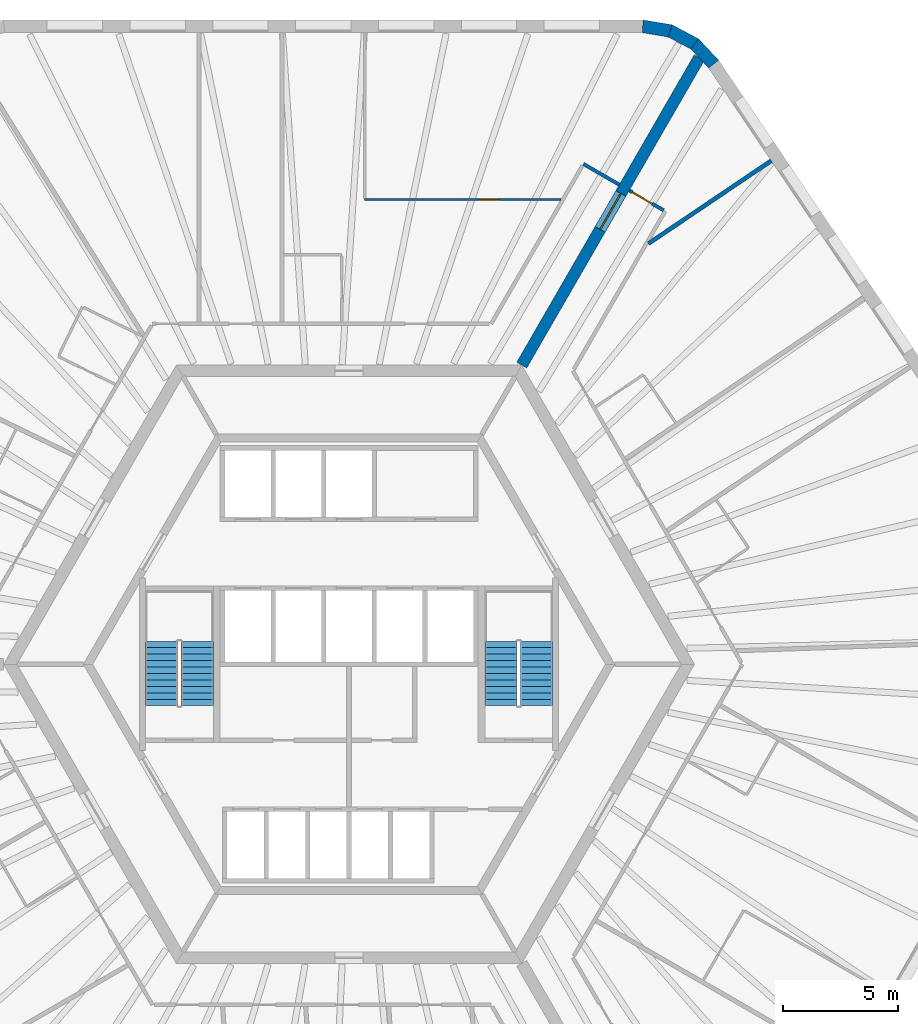
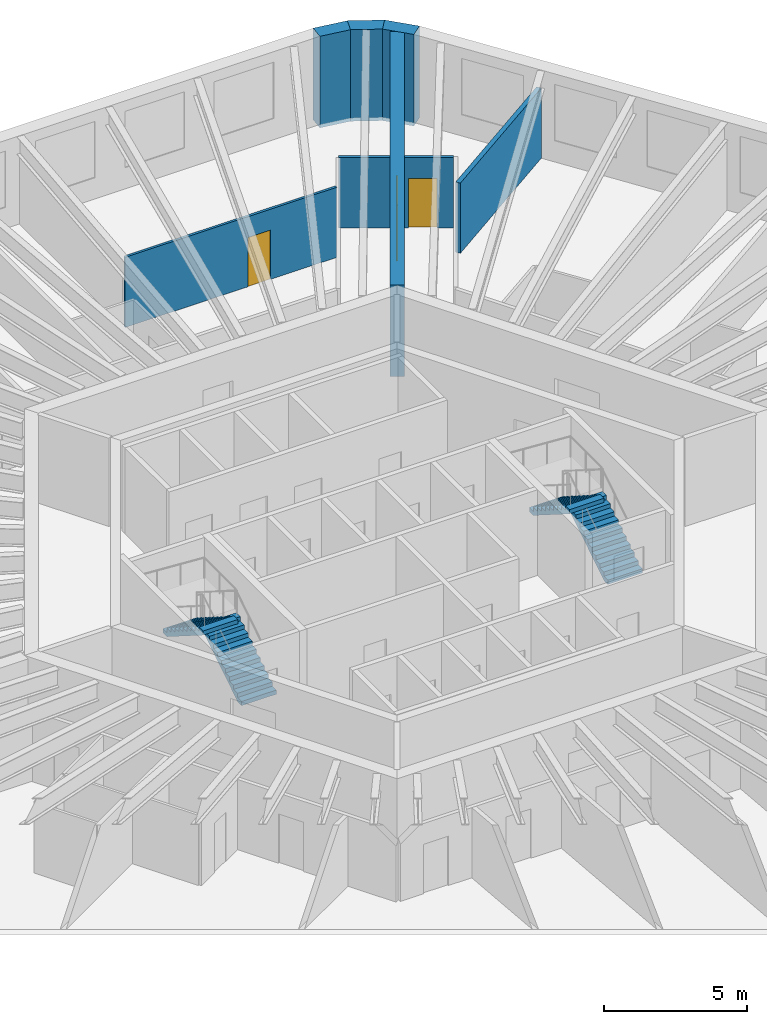
# One storey, part 9 of 10: 8 walls, 4 stair flights, 3 doors, 3 openings, 2 elements without a shape of their own.
"""IFC4 building model written with IfcOpenShell, lengths in metres."""

from ifc_helpers import new_model, si_unit, direction, frame, frame_2d, origin, place, context, subcontext, project, spatial, polyline, rectangle, outline, extrude, material, layer, layer_set, type_object, element, fill, aggregate, save


model = new_model("IFC4")

# Units and contexts
model_context = context("Model", 3, precision=1e-05, world=origin(), true_north=direction((0.0, 1.0)))
body_context = subcontext(model_context, "Body", "Model", "MODEL_VIEW")
ifc_project = project(units=[si_unit("LENGTHUNIT", "METRE"), si_unit("AREAUNIT", "SQUARE_METRE"), si_unit("VOLUMEUNIT", "CUBIC_METRE"), si_unit("PLANEANGLEUNIT", "RADIAN"), si_unit("MASSUNIT", "GRAM", prefix="KILO")], contexts=[model_context])

# Site, building, storey
site_placement = place(None, origin())
site = spatial("IfcSite", under=ifc_project, at=site_placement, CompositionType="ELEMENT")
building_placement = place(site_placement, origin())
building = spatial("IfcBuilding", under=site, at=building_placement, Name="Tarnside Tower", CompositionType="ELEMENT")
storey_placement = place(building_placement, frame((0.0, 0.0, 230.699951171875)))
storey = spatial("IfcBuildingStorey", under=building, at=storey_placement, Name="L55", CompositionType="ELEMENT", Elevation=230.699951171875)

# Wall, opening, door
ifc_material_1 = material(Name="Concrete C70/85", Category="concrete")
ifc_layer_1 = layer(ifc_material_1, 0.5)
ifc_layer_set_1 = layer_set([ifc_layer_1], Name="Core wall Z2 500 C70/85")
wall_type_1 = type_object("IfcWallType", Name="Core wall Z2 500 C70/85", PredefinedType="SHEAR", material=ifc_layer_set_1)
wall_1_placement = place(storey_placement, frame((7.505615234375, 13.0, -0.14990234375), z_axis=(0.0, 0.0, 1.0), x_axis=(0.499988271576, 0.866032175087, 0.0)))
wall_1 = element("IfcWall", 1, at=wall_1_placement, inside=storey, type_object=wall_type_1, Name="L55 spine wall 1", PredefinedType="SHEAR", context=body_context, shape_type="SweptSolid", body=[
    extrude(rectangle(XDim=15.423583984375, YDim=0.5, at=frame_2d((7.7119140625, 0.0))), origin(), (0.0, 0.0, 1.0), 3.89990234375),
])
opening_1_placement = place(wall_1_placement, frame((6.811767578125, 0.0, 0.14990234375)))
opening_1 = element("IfcOpeningElement", 2, at=opening_1_placement, cuts=wall_1, Name="Opening CD-SPN", PredefinedType="OPENING", context=body_context, shape_type="SweptSolid", body=[
    extrude(rectangle(XDim=1.800048828125, YDim=2.39990234375, at=frame_2d((0.89990234375, 1.199951171875))), frame((0.0, 0.260009765625, 0.0), z_axis=(0.0, -1.0, 0.0), x_axis=(1.0, 0.0, 0.0)), (0.0, 0.0, 1.0), 0.52001953125),
])
ifc_material_2 = material(Name="Steel fire door", Category="steel")
door_type_1 = type_object("IfcDoorType", Name="Spine passage double door FD60 1800x2400", OperationType="NOTDEFINED", PredefinedType="DOOR", material=ifc_material_2)
door_1_placement = place(opening_1_placement, origin())
door_1 = element("IfcDoor", 3, at=door_1_placement, inside=storey, type_object=door_type_1, Name="L55 spine passage door 1", OperationType="DOUBLE_DOOR_SINGLE_SWING", OverallHeight=2.39990234375, OverallWidth=1.800048828125, PredefinedType="DOOR", context=body_context, shape_type="SweptSolid", body=[
    extrude(rectangle(XDim=1.800048828125, YDim=2.39990234375, at=frame_2d((0.89990234375, 1.199951171875))), frame((0.0, 0.02490234375, 0.0), z_axis=(0.0, -1.0, 0.0), x_axis=(1.0, 0.0, 0.0)), (0.0, 0.0, 1.0), 0.050048828125),
])
fill(opening_1, door_1)

# Wall
ifc_material_3 = material(Name="Gypsum board partition on steel studs", Category="steel")
ifc_layer_2 = layer(ifc_material_3, 0.14990234375)
ifc_layer_set_2 = layer_set([ifc_layer_2], Name="Corridor wall 150 EI 60")
wall_type_2 = type_object("IfcWallType", Name="Corridor wall 150 EI 60", PredefinedType="PARTITIONING", material=ifc_layer_set_2)
wall_2_placement = place(storey_placement, frame((11.744873046875, 20.8427734375, 0.0), z_axis=(0.0, 0.0, 1.0), x_axis=(-0.865989075817, 0.500062916607, 0.0)))
element("IfcWall", 4, at=wall_2_placement, inside=storey, type_object=wall_type_2, Name="Corridor wall 18004", PredefinedType="PARTITIONING", context=body_context, shape_type="SweptSolid", body=[
    extrude(rectangle(XDim=1.800048828125, YDim=0.14990234375, at=frame_2d((0.89990234375, 0.0))), origin(), (0.0, 0.0, 1.0), 2.98779296875),
])

# Wall, opening, door
wall_3_placement = place(storey_placement, frame((13.671875, 19.73046875, 0.0), z_axis=(0.0, 0.0, 1.0), x_axis=(-0.866074815912, 0.499914405916, 0.0)))
wall_3 = element("IfcWall", 5, at=wall_3_placement, inside=storey, type_object=wall_type_2, Name="Corridor wall 18050", PredefinedType="PARTITIONING", context=body_context, shape_type="SweptSolid", body=[
    extrude(rectangle(XDim=1.724853515625, YDim=0.14990234375, at=frame_2d((0.8623046875, 0.0))), origin(), (0.0, 0.0, 1.0), 2.98779296875),
])
opening_2_placement = place(wall_3_placement, frame((0.574951171875, 0.0, 0.0)))
opening_2 = element("IfcOpeningElement", 6, at=opening_2_placement, cuts=wall_3, Name="Opening D-E1", PredefinedType="OPENING", context=body_context, shape_type="SweptSolid", body=[
    extrude(rectangle(XDim=1.0, YDim=2.10009765625, at=frame_2d((0.5, 1.050048828125))), frame((0.0, 0.0849609375, 0.0), z_axis=(0.0, -1.0, 0.0), x_axis=(1.0, 0.0, 0.0)), (0.0, 0.0, 1.0), 0.169921875),
])
ifc_material_4 = material(Name="Timber door leaf", Category="wood")
door_type_2 = type_object("IfcDoorType", Name="Unit entrance door 1000 FD30S", OperationType="NOTDEFINED", PredefinedType="DOOR", material=ifc_material_4)
door_2_placement = place(opening_2_placement, origin())
door_2 = element("IfcDoor", 7, at=door_2_placement, inside=storey, type_object=door_type_2, Name="Unit door 18035", OperationType="SINGLE_SWING_LEFT", OverallHeight=2.10009765625, OverallWidth=1.0, PredefinedType="DOOR", context=body_context, shape_type="SweptSolid", body=[
    extrude(rectangle(XDim=1.0, YDim=2.10009765625, at=frame_2d((0.5, 1.050048828125))), frame((0.0, 0.02490234375, 0.0), z_axis=(0.0, -1.0, 0.0), x_axis=(1.0, 0.0, 0.0)), (0.0, 0.0, 1.0), 0.050048828125),
])
fill(opening_2, door_2)

# Wall
ifc_layer_3 = layer(ifc_material_3, 0.179931640625)
ifc_layer_set_3 = layer_set([ifc_layer_3], Name="Demising wall 180 EI 60")
wall_type_3 = type_object("IfcWallType", Name="Demising wall 180 EI 60", PredefinedType="PARTITIONING", material=ifc_layer_set_3)
wall_4_placement = place(storey_placement, frame((18.349609375, 21.88427734375, 0.0), z_axis=(0.0, 0.0, 1.0), x_axis=(-0.829047205772, -0.559178621374, 0.0)))
element("IfcWall", 8, at=wall_4_placement, inside=storey, type_object=wall_type_3, Name="Demising wall 18107", PredefinedType="PARTITIONING", context=body_context, shape_type="SweptSolid", body=[
    extrude(rectangle(XDim=6.442138671875, YDim=0.179931640625, at=frame_2d((3.22119140625, 0.0))), origin(), (0.0, 0.0, 1.0), 2.98779296875),
])

# Wall, opening, door
ifc_layer_4 = layer(ifc_material_3, 0.10009765625)
ifc_layer_set_4 = layer_set([ifc_layer_4], Name="Partition 100")
wall_type_4 = type_object("IfcWallType", Name="Partition 100", PredefinedType="PARTITIONING", material=ifc_layer_set_4)
wall_5_placement = place(storey_placement, frame((9.208740234375, 20.199951171875, 0.0), z_axis=(0.0, 0.0, 1.0), x_axis=(-1.0, 0.0, 0.0)))
wall_5 = element("IfcWall", 9, at=wall_5_placement, inside=storey, type_object=wall_type_4, Name="Partition wall 18053", PredefinedType="PARTITIONING", context=body_context, shape_type="SweptSolid", body=[
    extrude(rectangle(XDim=8.526611328125, YDim=0.10009765625, at=frame_2d((4.26318359375, 0.0))), origin(), (0.0, 0.0, 1.0), 2.98779296875),
])
opening_3_placement = place(wall_5_placement, frame((2.676513671875, 0.0, 0.0)))
opening_3 = element("IfcOpeningElement", 10, at=opening_3_placement, cuts=wall_5, Name="Opening D-I1", PredefinedType="OPENING", context=body_context, shape_type="SweptSolid", body=[
    extrude(rectangle(XDim=0.89990234375, YDim=2.10009765625, at=frame_2d((0.449951171875, 1.050048828125))), frame((0.0, 0.06005859375, 0.0), z_axis=(0.0, -1.0, 0.0), x_axis=(1.0, 0.0, 0.0)), (0.0, 0.0, 1.0), 0.1201171875),
])
door_type_3 = type_object("IfcDoorType", Name="Internal door 900", OperationType="NOTDEFINED", PredefinedType="DOOR", material=ifc_material_4)
door_3_placement = place(opening_3_placement, origin())
door_3 = element("IfcDoor", 11, at=door_3_placement, inside=storey, type_object=door_type_3, Name="Internal door 18003", OperationType="SINGLE_SWING_RIGHT", OverallHeight=2.10009765625, OverallWidth=0.89990234375, PredefinedType="DOOR", context=body_context, shape_type="SweptSolid", body=[
    extrude(rectangle(XDim=0.89990234375, YDim=2.10009765625, at=frame_2d((0.449951171875, 1.050048828125))), frame((0.0, 0.02490234375, 0.0), z_axis=(0.0, -1.0, 0.0), x_axis=(1.0, 0.0, 0.0)), (0.0, 0.0, 1.0), 0.050048828125),
])
fill(opening_3, door_3)

# Walls
ifc_material_5 = material(Name="Facing brick", Category="masonry")
ifc_layer_5 = layer(ifc_material_5, 0.10205078125)
ifc_material_6 = material(Name="Concrete C60/75 precast", Category="concrete")
ifc_layer_6 = layer(ifc_material_6, 0.347900390625)
ifc_material_7 = material(Name="Mineral wool insulation")
ifc_layer_7 = layer(ifc_material_7, 0.10009765625)
ifc_layer_set_5 = layer_set([ifc_layer_5, ifc_layer_6, ifc_layer_7], Name="Tube wall 550 brick faced")
wall_type_5 = type_object("IfcWallType", Name="Tube wall 550 brick faced", PredefinedType="SOLIDWALL", material=ifc_layer_set_5)
wall_6_placement = place(storey_placement, frame((15.84912109375, 26.0830078125, -0.14990234375), z_axis=(0.0, 0.0, 1.0), x_axis=(-0.686196220404, 0.727416488061, 0.0)))
element("IfcWall", 12, at=wall_6_placement, inside=storey, type_object=wall_type_5, Name="Tube wall L55 F6 chord 21", PredefinedType="SOLIDWALL", context=body_context, shape_type="SweptSolid", body=[
    extrude(outline(polyline([(-0.0224609375, -0.27490234375), (1.25341796875, -0.27490234375), (1.1630859375, 0.27490234375), (0.0224609375, 0.27490234375), (-0.0224609375, -0.27490234375)])), origin(), (0.0, 0.0, 1.0), 3.89990234375),
])
wall_7_placement = place(storey_placement, frame((15.02001953125, 26.9619140625, -0.14990234375), z_axis=(0.0, 0.0, 1.0), x_axis=(-0.882950818639, 0.469465495926, 0.0)))
element("IfcWall", 13, at=wall_7_placement, inside=storey, type_object=wall_type_5, Name="Tube wall L55 F6 chord 22", PredefinedType="SOLIDWALL", context=body_context, shape_type="SweptSolid", body=[
    extrude(outline(polyline([(-0.045166015625, -0.27490234375), (1.253173828125, -0.27490234375), (1.162841796875, 0.27490234375), (0.045166015625, 0.27490234375), (-0.045166015625, -0.27490234375)])), origin(), (0.0, 0.0, 1.0), 3.89990234375),
])
wall_8_placement = place(storey_placement, frame((13.953369140625, 27.529052734375, -0.14990234375), z_axis=(0.0, 0.0, 1.0), x_axis=(-0.986751945211, 0.162236243244, 0.0)))
element("IfcWall", 14, at=wall_8_placement, inside=storey, type_object=wall_type_5, Name="Tube wall L55 F6 chord 23", PredefinedType="SOLIDWALL", context=body_context, shape_type="SweptSolid", body=[
    extrude(outline(polyline([(-0.045166015625, -0.27490234375), (1.23095703125, -0.27490234375), (1.18603515625, 0.27490234375), (0.045166015625, 0.27490234375), (-0.045166015625, -0.27490234375)])), origin(), (0.0, 0.0, 1.0), 3.89990234375),
])

# Stair, stair flights
ifc_material_8 = material(Name="Concrete C40/50", Category="concrete")
stair_type = type_object("IfcStairType", Name="Exit stair 1400 clear", PredefinedType="HALF_TURN_STAIR", material=ifc_material_8)
stair_1_placement = place(storey_placement, origin())
stair_1 = element("IfcStair", 15, at=stair_1_placement, inside=storey, type_object=stair_type, Name="L55 Exit stair 1", PredefinedType="HALF_TURN_STAIR")
stair_flight_type = type_object("IfcStairFlightType", Name="Exit stair flight 1400", PredefinedType="STRAIGHT", material=ifc_material_8)
stair_flight_1_placement = place(storey_placement, frame((8.14990234375, -1.800048828125, 0.0), z_axis=(0.0, 0.0, 1.0), x_axis=(0.0, 1.0, 0.0)))
stair_flight_1 = element("IfcStairFlight", 16, at=stair_flight_1_placement, type_object=stair_flight_type, Name="ST1 flight 1", NumberOfRisers=11, NumberOfTreads=10, PredefinedType="STRAIGHT", RiserHeight=0.177272727, TreadLength=0.28, context=body_context, shape_type="SweptSolid", body=[
    extrude(outline(polyline([(0.0, 0.0), (0.0, 0.17724609375), (0.280029296875, 0.17724609375), (0.280029296875, 0.3544921875), (0.56005859375, 0.3544921875), (0.56005859375, 0.53173828125), (0.840087890625, 0.53173828125), (0.840087890625, 0.708984375), (1.1201171875, 0.708984375), (1.1201171875, 0.886474609375), (1.39990234375, 0.886474609375), (1.39990234375, 1.063720703125), (1.679931640625, 1.063720703125), (1.679931640625, 1.240966796875), (1.9599609375, 1.240966796875), (1.9599609375, 1.418212890625), (2.239990234375, 1.418212890625), (2.239990234375, 1.595458984375), (2.52001953125, 1.595458984375), (2.52001953125, 1.772705078125), (2.800048828125, 1.772705078125), (2.800048828125, 1.949951171875), (2.800048828125, 1.59521484375), (0.2802734375, 0.0), (0.0, 0.0)])), frame((0.0, 0.699951171875, 0.0), z_axis=(0.0, -1.0, 0.0), x_axis=(1.0, 0.0, 0.0)), (0.0, 0.0, 1.0), 1.39990234375),
])
stair_flight_2_placement = place(storey_placement, frame((6.60009765625, 1.0, 1.949951171875), z_axis=(0.0, 0.0, 1.0), x_axis=(0.0, -1.0, 0.0)))
stair_flight_2 = element("IfcStairFlight", 17, at=stair_flight_2_placement, type_object=stair_flight_type, Name="ST1 flight 2", NumberOfRisers=11, NumberOfTreads=10, PredefinedType="STRAIGHT", RiserHeight=0.177272727, TreadLength=0.28, context=body_context, shape_type="SweptSolid", body=[
    extrude(outline(polyline([(0.0, 0.0), (0.0, 0.17724609375), (0.280029296875, 0.17724609375), (0.280029296875, 0.3544921875), (0.56005859375, 0.3544921875), (0.56005859375, 0.53173828125), (0.840087890625, 0.53173828125), (0.840087890625, 0.708984375), (1.1201171875, 0.708984375), (1.1201171875, 0.886474609375), (1.39990234375, 0.886474609375), (1.39990234375, 1.063720703125), (1.679931640625, 1.063720703125), (1.679931640625, 1.240966796875), (1.9599609375, 1.240966796875), (1.9599609375, 1.418212890625), (2.239990234375, 1.418212890625), (2.239990234375, 1.595458984375), (2.52001953125, 1.595458984375), (2.52001953125, 1.772705078125), (2.800048828125, 1.772705078125), (2.800048828125, 1.949951171875), (2.800048828125, 1.59521484375), (0.2802734375, 0.0), (0.0, 0.0)])), frame((0.0, 0.699951171875, 0.0), z_axis=(0.0, -1.0, 0.0), x_axis=(1.0, 0.0, 0.0)), (0.0, 0.0, 1.0), 1.39990234375),
])
aggregate(stair_1, [stair_flight_1, stair_flight_2])

stair_2_placement = place(storey_placement, origin())
stair_2 = element("IfcStair", 18, at=stair_2_placement, inside=storey, type_object=stair_type, Name="L55 Exit stair 2", PredefinedType="HALF_TURN_STAIR")
stair_flight_3_placement = place(storey_placement, frame((-6.60009765625, -1.800048828125, 0.0), z_axis=(0.0, 0.0, 1.0), x_axis=(0.0, 1.0, 0.0)))
stair_flight_3 = element("IfcStairFlight", 19, at=stair_flight_3_placement, type_object=stair_flight_type, Name="ST2 flight 1", NumberOfRisers=11, NumberOfTreads=10, PredefinedType="STRAIGHT", RiserHeight=0.177272727, TreadLength=0.28, context=body_context, shape_type="SweptSolid", body=[
    extrude(outline(polyline([(0.0, 0.0), (0.0, 0.17724609375), (0.280029296875, 0.17724609375), (0.280029296875, 0.3544921875), (0.56005859375, 0.3544921875), (0.56005859375, 0.53173828125), (0.840087890625, 0.53173828125), (0.840087890625, 0.708984375), (1.1201171875, 0.708984375), (1.1201171875, 0.886474609375), (1.39990234375, 0.886474609375), (1.39990234375, 1.063720703125), (1.679931640625, 1.063720703125), (1.679931640625, 1.240966796875), (1.9599609375, 1.240966796875), (1.9599609375, 1.418212890625), (2.239990234375, 1.418212890625), (2.239990234375, 1.595458984375), (2.52001953125, 1.595458984375), (2.52001953125, 1.772705078125), (2.800048828125, 1.772705078125), (2.800048828125, 1.949951171875), (2.800048828125, 1.59521484375), (0.2802734375, 0.0), (0.0, 0.0)])), frame((0.0, 0.699951171875, 0.0), z_axis=(0.0, -1.0, 0.0), x_axis=(1.0, 0.0, 0.0)), (0.0, 0.0, 1.0), 1.39990234375),
])
stair_flight_4_placement = place(storey_placement, frame((-8.14990234375, 1.0, 1.949951171875), z_axis=(0.0, 0.0, 1.0), x_axis=(0.0, -1.0, 0.0)))
stair_flight_4 = element("IfcStairFlight", 20, at=stair_flight_4_placement, type_object=stair_flight_type, Name="ST2 flight 2", NumberOfRisers=11, NumberOfTreads=10, PredefinedType="STRAIGHT", RiserHeight=0.177272727, TreadLength=0.28, context=body_context, shape_type="SweptSolid", body=[
    extrude(outline(polyline([(0.0, 0.0), (0.0, 0.17724609375), (0.280029296875, 0.17724609375), (0.280029296875, 0.3544921875), (0.56005859375, 0.3544921875), (0.56005859375, 0.53173828125), (0.840087890625, 0.53173828125), (0.840087890625, 0.708984375), (1.1201171875, 0.708984375), (1.1201171875, 0.886474609375), (1.39990234375, 0.886474609375), (1.39990234375, 1.063720703125), (1.679931640625, 1.063720703125), (1.679931640625, 1.240966796875), (1.9599609375, 1.240966796875), (1.9599609375, 1.418212890625), (2.239990234375, 1.418212890625), (2.239990234375, 1.595458984375), (2.52001953125, 1.595458984375), (2.52001953125, 1.772705078125), (2.800048828125, 1.772705078125), (2.800048828125, 1.949951171875), (2.800048828125, 1.59521484375), (0.2802734375, 0.0), (0.0, 0.0)])), frame((0.0, 0.699951171875, 0.0), z_axis=(0.0, -1.0, 0.0), x_axis=(1.0, 0.0, 0.0)), (0.0, 0.0, 1.0), 1.39990234375),
])
aggregate(stair_2, [stair_flight_3, stair_flight_4])

save(model, "model.ifc")
